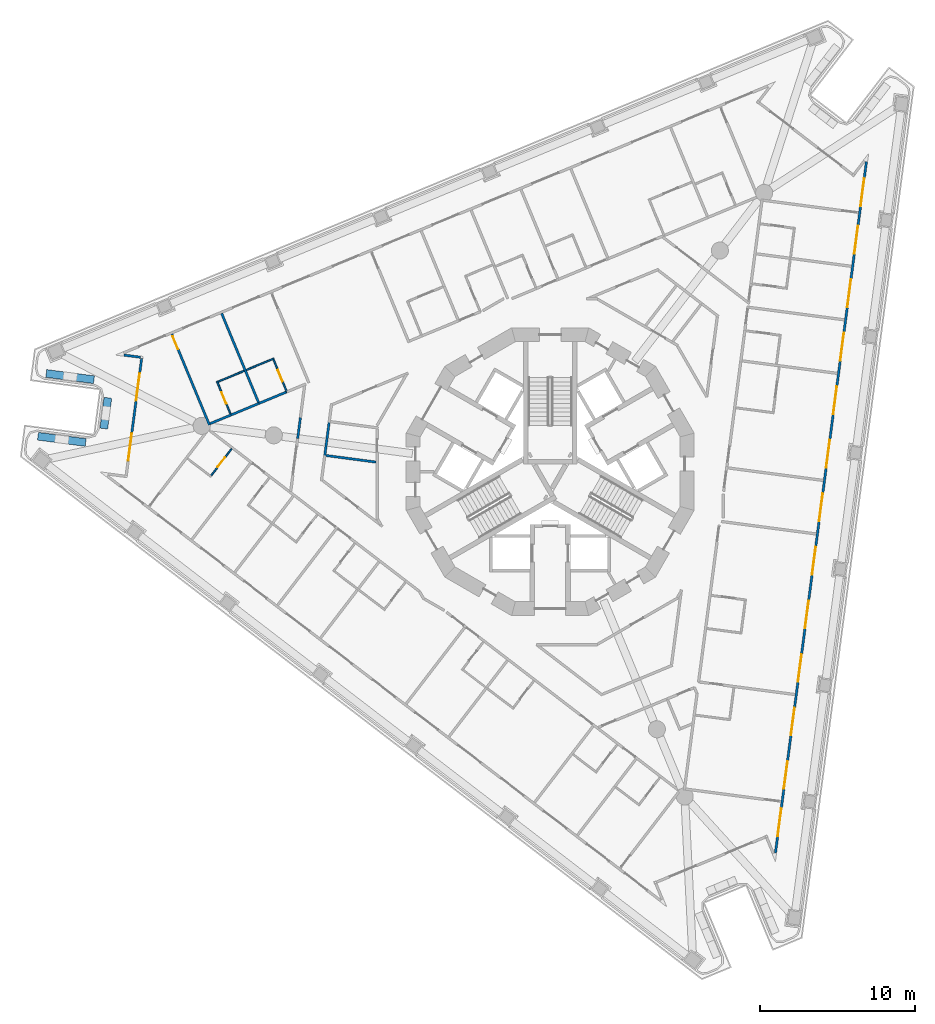
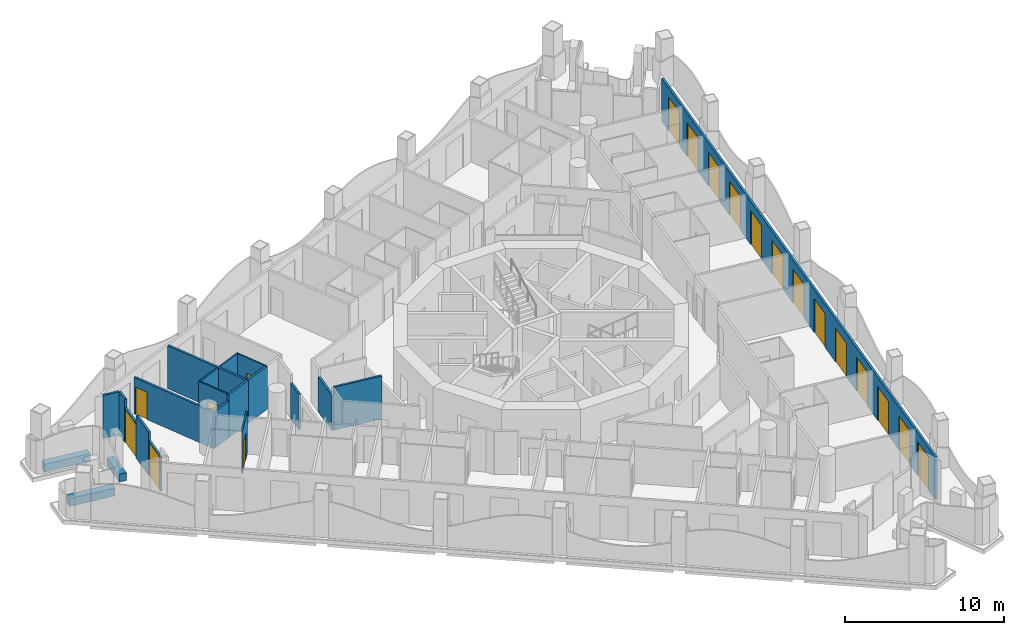
# One storey, part 6 of 18: 22 walls, 19 doors, 19 openings.
"""IFC4 building model written with IfcOpenShell, lengths in metres."""

from ifc_helpers import new_model, si_unit, direction, frame, frame_2d, origin, place, context, subcontext, project, spatial, polyline, rectangle, outline, extrude, material, layer, layer_set, type_object, element, fill, save


model = new_model("IFC4")

# Units and contexts
model_context = context("Model", 3, precision=1e-05, world=origin(), true_north=direction((0.0, 1.0)))
body_context = subcontext(model_context, "Body", "Model", "MODEL_VIEW")
ifc_project = project(units=[si_unit("LENGTHUNIT", "METRE"), si_unit("AREAUNIT", "SQUARE_METRE"), si_unit("VOLUMEUNIT", "CUBIC_METRE"), si_unit("PLANEANGLEUNIT", "RADIAN"), si_unit("MASSUNIT", "GRAM", prefix="KILO")], contexts=[model_context])

# Site, building, storey
site_placement = place(None, origin())
site = spatial("IfcSite", under=ifc_project, at=site_placement, CompositionType="ELEMENT")
building_placement = place(site_placement, origin())
building = spatial("IfcBuilding", under=site, at=building_placement, Name="Trine Commons Tower", CompositionType="ELEMENT")
storey_placement = place(building_placement, frame((0.0, 0.0, 142.199951171875)))
storey = spatial("IfcBuildingStorey", under=building, at=storey_placement, Name="L36", CompositionType="ELEMENT", Elevation=142.199951171875)

# Wall, opening, door
ifc_material_1 = material(Name="Aluminium-framed insulated wall panel", Category="aluminium")
ifc_layer_1 = layer(ifc_material_1, 0.14990234375)
ifc_layer_set_1 = layer_set([ifc_layer_1], Name="Aluminium-framed insulated wall panel")
wall_type_1 = type_object("IfcWallType", Name="Glazed frame wall 150, EI 60", PredefinedType="SOLIDWALL", material=ifc_layer_set_1)
wall_1_placement = place(storey_placement, frame((52.811279296875, 63.154296875, 0.0), z_axis=(0.0, 0.0, 1.0), x_axis=(0.130547578832, 0.991442045538, 0.0)))
wall_1 = element("IfcWall", 1, at=wall_1_placement, inside=storey, type_object=wall_type_1, Name="Glazed frame wall P1.2", PredefinedType="SOLIDWALL", context=body_context, shape_type="SweptSolid", body=[
    extrude(outline(polyline([(0.0, -0.074951171875), (1.89990234375, -0.074951171875), (1.89990234375, 0.074951171875), (0.0, 0.074951171875), (0.0, -0.074951171875)])), origin(), (0.0, 0.0, 1.0), 2.650146484375),
])
opening_1_placement = place(wall_1_placement, frame((0.050048828125, 0.0, 0.0)))
opening_1 = element("IfcOpeningElement", 2, at=opening_1_placement, cuts=wall_1, Name="Opening BD-4P1-01", PredefinedType="OPENING", context=body_context, shape_type="SweptSolid", body=[
    extrude(rectangle(XDim=1.800048828125, YDim=2.60009765625, at=frame_2d((0.89990234375, 1.300048828125))), frame((0.0, 0.0849609375, 0.0), z_axis=(0.0, -1.0, 0.0), x_axis=(1.0, 0.0, 0.0)), (0.0, 0.0, 1.0), 0.169921875),
])
ifc_material_2 = material(Name="Anodised aluminium frame with double glazing", Category="aluminium")
door_type_1 = type_object("IfcDoorType", Name="Sliding loggia door 1800x2600", OperationType="SLIDING_TO_LEFT", PredefinedType="DOOR", material=ifc_material_2)
door_1_placement = place(opening_1_placement, origin())
door_1 = element("IfcDoor", 3, at=door_1_placement, inside=storey, type_object=door_type_1, Name="Loggia door P1 1", OperationType="SLIDING_TO_LEFT", OverallHeight=2.60009765625, OverallWidth=1.800048828125, PredefinedType="DOOR", context=body_context, shape_type="SweptSolid", body=[
    extrude(rectangle(XDim=1.800048828125, YDim=2.60009765625, at=frame_2d((0.89990234375, 1.300048828125))), frame((0.0, 0.02490234375, 0.0), z_axis=(0.0, -1.0, 0.0), x_axis=(1.0, 0.0, 0.0)), (0.0, 0.0, 1.0), 0.050048828125),
])
fill(opening_1, door_1)

# Wall
wall_2_placement = place(storey_placement, frame((53.059326171875, 65.0380859375, 0.0), z_axis=(0.0, 0.0, 1.0), x_axis=(0.130492404742, 0.991449308994, 0.0)))
element("IfcWall", 4, at=wall_2_placement, inside=storey, type_object=wall_type_1, Name="Glazed frame wall P1.3", PredefinedType="SOLIDWALL", context=body_context, shape_type="SweptSolid", body=[
    extrude(outline(polyline([(0.0, -0.074951171875), (2.0, -0.074951171875), (2.0, 0.074951171875), (0.0, 0.074951171875), (0.0, -0.074951171875)])), origin(), (0.0, 0.0, 1.0), 3.300048828125),
])

# Wall, opening, door
wall_3_placement = place(storey_placement, frame((53.3203125, 67.02099609375, 0.0), z_axis=(0.0, 0.0, 1.0), x_axis=(0.130547578832, 0.991442045538, 0.0)))
wall_3 = element("IfcWall", 5, at=wall_3_placement, inside=storey, type_object=wall_type_1, Name="Glazed frame wall P1.4", PredefinedType="SOLIDWALL", context=body_context, shape_type="SweptSolid", body=[
    extrude(outline(polyline([(0.0, -0.074951171875), (1.89990234375, -0.074951171875), (1.89990234375, 0.074951171875), (0.0, 0.074951171875), (0.0, -0.074951171875)])), origin(), (0.0, 0.0, 1.0), 2.650146484375),
])
opening_2_placement = place(wall_3_placement, frame((0.050048828125, 0.0, 0.0)))
opening_2 = element("IfcOpeningElement", 6, at=opening_2_placement, cuts=wall_3, Name="Opening BD-4P1-02", PredefinedType="OPENING", context=body_context, shape_type="SweptSolid", body=[
    extrude(rectangle(XDim=1.800048828125, YDim=2.60009765625, at=frame_2d((0.89990234375, 1.300048828125))), frame((0.0, 0.0849609375, 0.0), z_axis=(0.0, -1.0, 0.0), x_axis=(1.0, 0.0, 0.0)), (0.0, 0.0, 1.0), 0.169921875),
])
door_2_placement = place(opening_2_placement, origin())
door_2 = element("IfcDoor", 7, at=door_2_placement, inside=storey, type_object=door_type_1, Name="Loggia door P1 2", OperationType="SLIDING_TO_LEFT", OverallHeight=2.60009765625, OverallWidth=1.800048828125, PredefinedType="DOOR", context=body_context, shape_type="SweptSolid", body=[
    extrude(rectangle(XDim=1.800048828125, YDim=2.60009765625, at=frame_2d((0.89990234375, 1.300048828125))), frame((0.0, 0.02490234375, 0.0), z_axis=(0.0, -1.0, 0.0), x_axis=(1.0, 0.0, 0.0)), (0.0, 0.0, 1.0), 0.050048828125),
])
fill(opening_2, door_2)

# Walls
wall_4_placement = place(storey_placement, frame((53.568359375, 68.90478515625, 0.0), z_axis=(0.0, 0.0, 1.0), x_axis=(0.130612392842, 0.991433509034, 0.0)))
element("IfcWall", 8, at=wall_4_placement, inside=storey, type_object=wall_type_1, Name="Glazed frame wall P1.5", PredefinedType="SOLIDWALL", context=body_context, shape_type="SweptSolid", body=[
    extrude(outline(polyline([(0.889892578125, 0.074951171875), (0.0, 0.074951171875), (0.0, -0.074951171875), (0.889892578125, -0.074951171875), (0.889892578125, 0.074951171875)])), origin(), (0.0, 0.0, 1.0), 3.300048828125),
])
wall_5_placement = place(storey_placement, frame((53.72900390625, 69.85693359375, 0.0), z_axis=(0.0, 0.0, 1.0), x_axis=(-0.991446880033, 0.130510858064, 0.0)))
element("IfcWall", 9, at=wall_5_placement, inside=storey, type_object=wall_type_1, Name="Glazed frame wall R3", PredefinedType="SOLIDWALL", context=body_context, shape_type="SweptSolid", body=[
    extrude(outline(polyline([(0.110107421875, 0.074951171875), (0.110107421875, -0.074951171875), (1.19580078125, -0.074951171875), (1.19580078125, 0.074951171875), (0.110107421875, 0.074951171875)])), origin(), (0.0, 0.0, 1.0), 3.300048828125),
])

# Wall, openings, doors
wall_6_placement = place(storey_placement, frame((100.387939453125, 82.614013671875, 0.0), z_axis=(0.0, 0.0, 1.0), x_axis=(-0.130522128443, -0.991445396372, 0.0)))
wall_6 = element("IfcWall", 10, at=wall_6_placement, inside=storey, type_object=wall_type_1, Name="Glazed frame wall F2", PredefinedType="SOLIDWALL", context=body_context, shape_type="SweptSolid", body=[
    extrude(outline(polyline([(0.1494140625, 0.074951171875), (0.1494140625, -0.074951171875), (45.056884765625, -0.074951171875), (45.056884765625, 0.074951171875), (0.1494140625, 0.074951171875)])), origin(), (0.0, 0.0, 1.0), 3.300048828125),
])
opening_3_placement = place(wall_6_placement, frame((1.23876953125, 0.0, 0.0)))
opening_3 = element("IfcOpeningElement", 11, at=opening_3_placement, cuts=wall_6, Name="Opening BD-4F2-01", PredefinedType="OPENING", context=body_context, shape_type="SweptSolid", body=[
    extrude(rectangle(XDim=1.800048828125, YDim=2.60009765625, at=frame_2d((0.89990234375, 1.300048828125))), frame((0.0, 0.0849609375, 0.0), z_axis=(0.0, -1.0, 0.0), x_axis=(1.0, 0.0, 0.0)), (0.0, 0.0, 1.0), 0.169921875),
])
opening_4_placement = place(wall_6_placement, frame((4.316162109375, 0.0, 0.0)))
opening_4 = element("IfcOpeningElement", 12, at=opening_4_placement, cuts=wall_6, Name="Opening BD-4F2-02", PredefinedType="OPENING", context=body_context, shape_type="SweptSolid", body=[
    extrude(rectangle(XDim=1.800048828125, YDim=2.60009765625, at=frame_2d((0.89990234375, 1.300048828125))), frame((0.0, 0.0849609375, 0.0), z_axis=(0.0, -1.0, 0.0), x_axis=(1.0, 0.0, 0.0)), (0.0, 0.0, 1.0), 0.169921875),
])
opening_5_placement = place(wall_6_placement, frame((7.79345703125, 0.0, 0.0)))
opening_5 = element("IfcOpeningElement", 13, at=opening_5_placement, cuts=wall_6, Name="Opening BD-4F2-03", PredefinedType="OPENING", context=body_context, shape_type="SweptSolid", body=[
    extrude(rectangle(XDim=1.800048828125, YDim=2.60009765625, at=frame_2d((0.89990234375, 1.300048828125))), frame((0.0, 0.0849609375, 0.0), z_axis=(0.0, -1.0, 0.0), x_axis=(1.0, 0.0, 0.0)), (0.0, 0.0, 1.0), 0.169921875),
])
opening_6_placement = place(wall_6_placement, frame((11.27099609375, 0.0, 0.0)))
opening_6 = element("IfcOpeningElement", 14, at=opening_6_placement, cuts=wall_6, Name="Opening BD-4F2-04", PredefinedType="OPENING", context=body_context, shape_type="SweptSolid", body=[
    extrude(rectangle(XDim=1.800048828125, YDim=2.60009765625, at=frame_2d((0.89990234375, 1.300048828125))), frame((0.0, 0.0849609375, 0.0), z_axis=(0.0, -1.0, 0.0), x_axis=(1.0, 0.0, 0.0)), (0.0, 0.0, 1.0), 0.169921875),
])
opening_7_placement = place(wall_6_placement, frame((14.748291015625, 0.0, 0.0)))
opening_7 = element("IfcOpeningElement", 15, at=opening_7_placement, cuts=wall_6, Name="Opening BD-4F2-05", PredefinedType="OPENING", context=body_context, shape_type="SweptSolid", body=[
    extrude(rectangle(XDim=1.800048828125, YDim=2.60009765625, at=frame_2d((0.89990234375, 1.300048828125))), frame((0.0, 0.0849609375, 0.0), z_axis=(0.0, -1.0, 0.0), x_axis=(1.0, 0.0, 0.0)), (0.0, 0.0, 1.0), 0.169921875),
])
opening_8_placement = place(wall_6_placement, frame((18.2255859375, 0.0, 0.0)))
opening_8 = element("IfcOpeningElement", 16, at=opening_8_placement, cuts=wall_6, Name="Opening BD-4F2-06", PredefinedType="OPENING", context=body_context, shape_type="SweptSolid", body=[
    extrude(rectangle(XDim=1.800048828125, YDim=2.60009765625, at=frame_2d((0.89990234375, 1.300048828125))), frame((0.0, 0.0849609375, 0.0), z_axis=(0.0, -1.0, 0.0), x_axis=(1.0, 0.0, 0.0)), (0.0, 0.0, 1.0), 0.169921875),
])
opening_9_placement = place(wall_6_placement, frame((21.703125, 0.0, 0.0)))
opening_9 = element("IfcOpeningElement", 17, at=opening_9_placement, cuts=wall_6, Name="Opening BD-4F2-07", PredefinedType="OPENING", context=body_context, shape_type="SweptSolid", body=[
    extrude(rectangle(XDim=1.800048828125, YDim=2.60009765625, at=frame_2d((0.89990234375, 1.300048828125))), frame((0.0, 0.0849609375, 0.0), z_axis=(0.0, -1.0, 0.0), x_axis=(1.0, 0.0, 0.0)), (0.0, 0.0, 1.0), 0.169921875),
])
opening_10_placement = place(wall_6_placement, frame((25.180419921875, 0.0, 0.0)))
opening_10 = element("IfcOpeningElement", 18, at=opening_10_placement, cuts=wall_6, Name="Opening BD-4F2-08", PredefinedType="OPENING", context=body_context, shape_type="SweptSolid", body=[
    extrude(rectangle(XDim=1.800048828125, YDim=2.60009765625, at=frame_2d((0.89990234375, 1.300048828125))), frame((0.0, 0.0849609375, 0.0), z_axis=(0.0, -1.0, 0.0), x_axis=(1.0, 0.0, 0.0)), (0.0, 0.0, 1.0), 0.169921875),
])
opening_11_placement = place(wall_6_placement, frame((28.657958984375, 0.0, 0.0)))
opening_11 = element("IfcOpeningElement", 19, at=opening_11_placement, cuts=wall_6, Name="Opening BD-4F2-09", PredefinedType="OPENING", context=body_context, shape_type="SweptSolid", body=[
    extrude(rectangle(XDim=1.800048828125, YDim=2.60009765625, at=frame_2d((0.89990234375, 1.300048828125))), frame((0.0, 0.0849609375, 0.0), z_axis=(0.0, -1.0, 0.0), x_axis=(1.0, 0.0, 0.0)), (0.0, 0.0, 1.0), 0.169921875),
])
opening_12_placement = place(wall_6_placement, frame((32.13525390625, 0.0, 0.0)))
opening_12 = element("IfcOpeningElement", 20, at=opening_12_placement, cuts=wall_6, Name="Opening BD-4F2-10", PredefinedType="OPENING", context=body_context, shape_type="SweptSolid", body=[
    extrude(rectangle(XDim=1.800048828125, YDim=2.60009765625, at=frame_2d((0.89990234375, 1.300048828125))), frame((0.0, 0.0849609375, 0.0), z_axis=(0.0, -1.0, 0.0), x_axis=(1.0, 0.0, 0.0)), (0.0, 0.0, 1.0), 0.169921875),
])
opening_13_placement = place(wall_6_placement, frame((35.61279296875, 0.0, 0.0)))
opening_13 = element("IfcOpeningElement", 21, at=opening_13_placement, cuts=wall_6, Name="Opening BD-4F2-11", PredefinedType="OPENING", context=body_context, shape_type="SweptSolid", body=[
    extrude(rectangle(XDim=1.800048828125, YDim=2.60009765625, at=frame_2d((0.89990234375, 1.300048828125))), frame((0.0, 0.0849609375, 0.0), z_axis=(0.0, -1.0, 0.0), x_axis=(1.0, 0.0, 0.0)), (0.0, 0.0, 1.0), 0.169921875),
])
opening_14_placement = place(wall_6_placement, frame((39.090087890625, 0.0, 0.0)))
opening_14 = element("IfcOpeningElement", 22, at=opening_14_placement, cuts=wall_6, Name="Opening BD-4F2-12", PredefinedType="OPENING", context=body_context, shape_type="SweptSolid", body=[
    extrude(rectangle(XDim=1.800048828125, YDim=2.60009765625, at=frame_2d((0.89990234375, 1.300048828125))), frame((0.0, 0.0849609375, 0.0), z_axis=(0.0, -1.0, 0.0), x_axis=(1.0, 0.0, 0.0)), (0.0, 0.0, 1.0), 0.169921875),
])
opening_15_placement = place(wall_6_placement, frame((42.16748046875, 0.0, 0.0)))
opening_15 = element("IfcOpeningElement", 23, at=opening_15_placement, cuts=wall_6, Name="Opening BD-4F2-13", PredefinedType="OPENING", context=body_context, shape_type="SweptSolid", body=[
    extrude(rectangle(XDim=1.800048828125, YDim=2.60009765625, at=frame_2d((0.89990234375, 1.300048828125))), frame((0.0, 0.0849609375, 0.0), z_axis=(0.0, -1.0, 0.0), x_axis=(1.0, 0.0, 0.0)), (0.0, 0.0, 1.0), 0.169921875),
])
door_3_placement = place(opening_3_placement, origin())
door_3 = element("IfcDoor", 24, at=door_3_placement, inside=storey, type_object=door_type_1, Name="Loggia door F2 1", OperationType="SLIDING_TO_LEFT", OverallHeight=2.60009765625, OverallWidth=1.800048828125, PredefinedType="DOOR", context=body_context, shape_type="SweptSolid", body=[
    extrude(rectangle(XDim=1.800048828125, YDim=2.60009765625, at=frame_2d((0.89990234375, 1.300048828125))), frame((0.0, 0.02490234375, 0.0), z_axis=(0.0, -1.0, 0.0), x_axis=(1.0, 0.0, 0.0)), (0.0, 0.0, 1.0), 0.050048828125),
])
fill(opening_3, door_3)
door_4_placement = place(opening_4_placement, origin())
door_4 = element("IfcDoor", 25, at=door_4_placement, inside=storey, type_object=door_type_1, Name="Loggia door F2 2", OperationType="SLIDING_TO_LEFT", OverallHeight=2.60009765625, OverallWidth=1.800048828125, PredefinedType="DOOR", context=body_context, shape_type="SweptSolid", body=[
    extrude(rectangle(XDim=1.800048828125, YDim=2.60009765625, at=frame_2d((0.89990234375, 1.300048828125))), frame((0.0, 0.02490234375, 0.0), z_axis=(0.0, -1.0, 0.0), x_axis=(1.0, 0.0, 0.0)), (0.0, 0.0, 1.0), 0.050048828125),
])
fill(opening_4, door_4)
door_5_placement = place(opening_5_placement, origin())
door_5 = element("IfcDoor", 26, at=door_5_placement, inside=storey, type_object=door_type_1, Name="Loggia door F2 3", OperationType="SLIDING_TO_LEFT", OverallHeight=2.60009765625, OverallWidth=1.800048828125, PredefinedType="DOOR", context=body_context, shape_type="SweptSolid", body=[
    extrude(rectangle(XDim=1.800048828125, YDim=2.60009765625, at=frame_2d((0.89990234375, 1.300048828125))), frame((0.0, 0.02490234375, 0.0), z_axis=(0.0, -1.0, 0.0), x_axis=(1.0, 0.0, 0.0)), (0.0, 0.0, 1.0), 0.050048828125),
])
fill(opening_5, door_5)
door_6_placement = place(opening_6_placement, origin())
door_6 = element("IfcDoor", 27, at=door_6_placement, inside=storey, type_object=door_type_1, Name="Loggia door F2 4", OperationType="SLIDING_TO_LEFT", OverallHeight=2.60009765625, OverallWidth=1.800048828125, PredefinedType="DOOR", context=body_context, shape_type="SweptSolid", body=[
    extrude(rectangle(XDim=1.800048828125, YDim=2.60009765625, at=frame_2d((0.89990234375, 1.300048828125))), frame((0.0, 0.02490234375, 0.0), z_axis=(0.0, -1.0, 0.0), x_axis=(1.0, 0.0, 0.0)), (0.0, 0.0, 1.0), 0.050048828125),
])
fill(opening_6, door_6)
door_7_placement = place(opening_7_placement, origin())
door_7 = element("IfcDoor", 28, at=door_7_placement, inside=storey, type_object=door_type_1, Name="Loggia door F2 5", OperationType="SLIDING_TO_LEFT", OverallHeight=2.60009765625, OverallWidth=1.800048828125, PredefinedType="DOOR", context=body_context, shape_type="SweptSolid", body=[
    extrude(rectangle(XDim=1.800048828125, YDim=2.60009765625, at=frame_2d((0.89990234375, 1.300048828125))), frame((0.0, 0.02490234375, 0.0), z_axis=(0.0, -1.0, 0.0), x_axis=(1.0, 0.0, 0.0)), (0.0, 0.0, 1.0), 0.050048828125),
])
fill(opening_7, door_7)
door_8_placement = place(opening_8_placement, origin())
door_8 = element("IfcDoor", 29, at=door_8_placement, inside=storey, type_object=door_type_1, Name="Loggia door F2 6", OperationType="SLIDING_TO_LEFT", OverallHeight=2.60009765625, OverallWidth=1.800048828125, PredefinedType="DOOR", context=body_context, shape_type="SweptSolid", body=[
    extrude(rectangle(XDim=1.800048828125, YDim=2.60009765625, at=frame_2d((0.89990234375, 1.300048828125))), frame((0.0, 0.02490234375, 0.0), z_axis=(0.0, -1.0, 0.0), x_axis=(1.0, 0.0, 0.0)), (0.0, 0.0, 1.0), 0.050048828125),
])
fill(opening_8, door_8)
door_9_placement = place(opening_9_placement, origin())
door_9 = element("IfcDoor", 30, at=door_9_placement, inside=storey, type_object=door_type_1, Name="Loggia door F2 7", OperationType="SLIDING_TO_LEFT", OverallHeight=2.60009765625, OverallWidth=1.800048828125, PredefinedType="DOOR", context=body_context, shape_type="SweptSolid", body=[
    extrude(rectangle(XDim=1.800048828125, YDim=2.60009765625, at=frame_2d((0.89990234375, 1.300048828125))), frame((0.0, 0.02490234375, 0.0), z_axis=(0.0, -1.0, 0.0), x_axis=(1.0, 0.0, 0.0)), (0.0, 0.0, 1.0), 0.050048828125),
])
fill(opening_9, door_9)
door_10_placement = place(opening_10_placement, origin())
door_10 = element("IfcDoor", 31, at=door_10_placement, inside=storey, type_object=door_type_1, Name="Loggia door F2 8", OperationType="SLIDING_TO_LEFT", OverallHeight=2.60009765625, OverallWidth=1.800048828125, PredefinedType="DOOR", context=body_context, shape_type="SweptSolid", body=[
    extrude(rectangle(XDim=1.800048828125, YDim=2.60009765625, at=frame_2d((0.89990234375, 1.300048828125))), frame((0.0, 0.02490234375, 0.0), z_axis=(0.0, -1.0, 0.0), x_axis=(1.0, 0.0, 0.0)), (0.0, 0.0, 1.0), 0.050048828125),
])
fill(opening_10, door_10)
door_11_placement = place(opening_11_placement, origin())
door_11 = element("IfcDoor", 32, at=door_11_placement, inside=storey, type_object=door_type_1, Name="Loggia door F2 9", OperationType="SLIDING_TO_LEFT", OverallHeight=2.60009765625, OverallWidth=1.800048828125, PredefinedType="DOOR", context=body_context, shape_type="SweptSolid", body=[
    extrude(rectangle(XDim=1.800048828125, YDim=2.60009765625, at=frame_2d((0.89990234375, 1.300048828125))), frame((0.0, 0.02490234375, 0.0), z_axis=(0.0, -1.0, 0.0), x_axis=(1.0, 0.0, 0.0)), (0.0, 0.0, 1.0), 0.050048828125),
])
fill(opening_11, door_11)
door_12_placement = place(opening_12_placement, origin())
door_12 = element("IfcDoor", 33, at=door_12_placement, inside=storey, type_object=door_type_1, Name="Loggia door F2 10", OperationType="SLIDING_TO_LEFT", OverallHeight=2.60009765625, OverallWidth=1.800048828125, PredefinedType="DOOR", context=body_context, shape_type="SweptSolid", body=[
    extrude(rectangle(XDim=1.800048828125, YDim=2.60009765625, at=frame_2d((0.89990234375, 1.300048828125))), frame((0.0, 0.02490234375, 0.0), z_axis=(0.0, -1.0, 0.0), x_axis=(1.0, 0.0, 0.0)), (0.0, 0.0, 1.0), 0.050048828125),
])
fill(opening_12, door_12)
door_13_placement = place(opening_13_placement, origin())
door_13 = element("IfcDoor", 34, at=door_13_placement, inside=storey, type_object=door_type_1, Name="Loggia door F2 11", OperationType="SLIDING_TO_LEFT", OverallHeight=2.60009765625, OverallWidth=1.800048828125, PredefinedType="DOOR", context=body_context, shape_type="SweptSolid", body=[
    extrude(rectangle(XDim=1.800048828125, YDim=2.60009765625, at=frame_2d((0.89990234375, 1.300048828125))), frame((0.0, 0.02490234375, 0.0), z_axis=(0.0, -1.0, 0.0), x_axis=(1.0, 0.0, 0.0)), (0.0, 0.0, 1.0), 0.050048828125),
])
fill(opening_13, door_13)
door_14_placement = place(opening_14_placement, origin())
door_14 = element("IfcDoor", 35, at=door_14_placement, inside=storey, type_object=door_type_1, Name="Loggia door F2 12", OperationType="SLIDING_TO_LEFT", OverallHeight=2.60009765625, OverallWidth=1.800048828125, PredefinedType="DOOR", context=body_context, shape_type="SweptSolid", body=[
    extrude(rectangle(XDim=1.800048828125, YDim=2.60009765625, at=frame_2d((0.89990234375, 1.300048828125))), frame((0.0, 0.02490234375, 0.0), z_axis=(0.0, -1.0, 0.0), x_axis=(1.0, 0.0, 0.0)), (0.0, 0.0, 1.0), 0.050048828125),
])
fill(opening_14, door_14)
door_15_placement = place(opening_15_placement, origin())
door_15 = element("IfcDoor", 36, at=door_15_placement, inside=storey, type_object=door_type_1, Name="Loggia door F2 13", OperationType="SLIDING_TO_LEFT", OverallHeight=2.60009765625, OverallWidth=1.800048828125, PredefinedType="DOOR", context=body_context, shape_type="SweptSolid", body=[
    extrude(rectangle(XDim=1.800048828125, YDim=2.60009765625, at=frame_2d((0.89990234375, 1.300048828125))), frame((0.0, 0.02490234375, 0.0), z_axis=(0.0, -1.0, 0.0), x_axis=(1.0, 0.0, 0.0)), (0.0, 0.0, 1.0), 0.050048828125),
])
fill(opening_15, door_15)

# Walls
ifc_material_3 = material(Name="Planter trough, precast concrete C40/50", Category="concrete")
ifc_layer_2 = layer(ifc_material_3, 0.5)
ifc_layer_set_2 = layer_set([ifc_layer_2], Name="Planter trough, precast concrete C40/50")
wall_type_2 = type_object("IfcWallType", Name="Planter trough 500x600", PredefinedType="PARAPET", material=ifc_layer_set_2)
wall_7_placement = place(storey_placement, frame((47.009765625, 64.78564453125, 0.0), z_axis=(0.0, 0.0, 1.0), x_axis=(0.991448665422, -0.130497294353, 0.0)))
element("IfcWall", 37, at=wall_7_placement, inside=storey, type_object=wall_type_2, Name="Planter 1", PredefinedType="PARAPET", context=body_context, shape_type="SweptSolid", body=[
    extrude(rectangle(XDim=3.10009765625, YDim=0.5, at=frame_2d((1.550048828125, 0.0))), origin(), (0.0, 0.0, 1.0), 0.60009765625),
])
wall_8_placement = place(storey_placement, frame((51.25, 65.2763671875, 0.0), z_axis=(0.0, 0.0, 1.0), x_axis=(0.130492404742, 0.991449308994, 0.0)))
element("IfcWall", 38, at=wall_8_placement, inside=storey, type_object=wall_type_2, Name="Planter 2", PredefinedType="PARAPET", context=body_context, shape_type="SweptSolid", body=[
    extrude(rectangle(XDim=2.0, YDim=0.5, at=frame_2d((1.0, 0.0))), origin(), (0.0, 0.0, 1.0), 0.60009765625),
])
wall_9_placement = place(storey_placement, frame((50.615478515625, 68.426025390625, 0.0), z_axis=(0.0, 0.0, 1.0), x_axis=(-0.991437130155, 0.130584903225, 0.0)))
element("IfcWall", 39, at=wall_9_placement, inside=storey, type_object=wall_type_2, Name="Planter 3", PredefinedType="PARAPET", context=body_context, shape_type="SweptSolid", body=[
    extrude(rectangle(XDim=3.099853515625, YDim=0.5, at=frame_2d((1.5498046875, 0.0))), origin(), (0.0, 0.0, 1.0), 0.60009765625),
])

# Wall, opening, door
ifc_material_4 = material(Name="Gypsum plasterboard on steel stud", Category="steel")
ifc_layer_3 = layer(ifc_material_4, 0.14990234375)
ifc_layer_set_3 = layer_set([ifc_layer_3], Name="Gypsum plasterboard on steel stud")
wall_type_3 = type_object("IfcWallType", Name="Unit and corridor wall 150 mm, EI 60", PredefinedType="PARTITIONING", material=ifc_layer_set_3)
wall_10_placement = place(storey_placement, frame((55.62841796875, 71.361083984375, 0.0), z_axis=(0.0, 0.0, 1.0), x_axis=(0.38260330851, -0.923912716828, 0.0)))
wall_10 = element("IfcWall", 40, at=wall_10_placement, inside=storey, type_object=wall_type_3, Name="Partition 002", PredefinedType="PARTITIONING", context=body_context, shape_type="SweptSolid", body=[
    extrude(rectangle(XDim=6.343994140625, YDim=0.14990234375, at=frame_2d((3.171875, 0.0))), origin(), (0.0, 0.0, 1.0), 2.800048828125),
])
opening_16_placement = place(wall_10_placement, frame((0.14990234375, 0.0, 0.0)))
opening_16 = element("IfcOpeningElement", 41, at=opening_16_placement, cuts=wall_10, Name="Opening D-4B05", PredefinedType="OPENING", context=body_context, shape_type="SweptSolid", body=[
    extrude(rectangle(XDim=0.89990234375, YDim=2.10009765625, at=frame_2d((0.449951171875, 1.050048828125))), frame((0.0, 0.0849609375, 0.0), z_axis=(0.0, -1.0, 0.0), x_axis=(1.0, 0.0, 0.0)), (0.0, 0.0, 1.0), 0.169921875),
])
ifc_material_5 = material(Name="Timber fire door set", Category="wood")
door_type_2 = type_object("IfcDoorType", Name="Bedroom door 900 x 2100, FD30S", OperationType="NOTDEFINED", PredefinedType="DOOR", material=ifc_material_5)
door_16_placement = place(opening_16_placement, origin())
door_16 = element("IfcDoor", 42, at=door_16_placement, inside=storey, type_object=door_type_2, Name="Door D-4B05", OperationType="SINGLE_SWING_LEFT", OverallHeight=2.10009765625, OverallWidth=0.89990234375, PredefinedType="DOOR", context=body_context, shape_type="SweptSolid", body=[
    extrude(rectangle(XDim=0.89990234375, YDim=2.10009765625, at=frame_2d((0.449951171875, 1.050048828125))), frame((0.0, 0.02490234375, 0.0), z_axis=(0.0, -1.0, 0.0), x_axis=(1.0, 0.0, 0.0)), (0.0, 0.0, 1.0), 0.050048828125),
])
fill(opening_16, door_16)

# Walls
wall_11_placement = place(storey_placement, frame((58.09619140625, 65.59765625, 0.0), z_axis=(0.0, 0.0, 1.0), x_axis=(0.923888134281, 0.382662665196, 0.0)))
element("IfcWall", 43, at=wall_11_placement, inside=storey, type_object=wall_type_3, Name="Partition 006", PredefinedType="PARTITIONING", context=body_context, shape_type="SweptSolid", body=[
    extrude(rectangle(XDim=1.45654296875, YDim=0.14990234375, at=frame_2d((0.728271484375, 0.0))), origin(), (0.0, 0.0, 1.0), 2.800048828125),
])
wall_12_placement = place(storey_placement, frame((58.84130859375, 72.69189453125, 0.0), z_axis=(0.0, 0.0, 1.0), x_axis=(0.382610562407, -0.923909712869, 0.0)))
element("IfcWall", 44, at=wall_12_placement, inside=storey, type_object=wall_type_3, Name="Partition 010", PredefinedType="PARTITIONING", context=body_context, shape_type="SweptSolid", body=[
    extrude(rectangle(XDim=6.19384765625, YDim=0.14990234375, at=frame_2d((3.096923828125, 0.0))), origin(), (0.0, 0.0, 1.0), 3.300048828125),
])
wall_13_placement = place(storey_placement, frame((59.388916015625, 66.1328125, 0.0), z_axis=(0.0, 0.0, 1.0), x_axis=(0.923817799338, 0.382832435442, 0.0)))
element("IfcWall", 45, at=wall_13_placement, inside=storey, type_object=wall_type_3, Name="Partition 011", PredefinedType="PARTITIONING", context=body_context, shape_type="SweptSolid", body=[
    extrude(rectangle(XDim=2.003662109375, YDim=0.14990234375, at=frame_2d((1.001953125, 0.0))), origin(), (0.0, 0.0, 1.0), 3.300048828125),
])
wall_14_placement = place(storey_placement, frame((61.239990234375, 66.89990234375, 0.0), z_axis=(0.0, 0.0, 1.0), x_axis=(0.92387678234, 0.382690071798, 0.0)))
element("IfcWall", 46, at=wall_14_placement, inside=storey, type_object=wall_type_3, Name="Partition 016", PredefinedType="PARTITIONING", context=body_context, shape_type="SweptSolid", body=[
    extrude(rectangle(XDim=1.95458984375, YDim=0.14990234375, at=frame_2d((0.977294921875, 0.0))), origin(), (0.0, 0.0, 1.0), 3.300048828125),
])
wall_15_placement = place(storey_placement, frame((63.736083984375, 64.64111328125, 0.0), z_axis=(0.0, 0.0, 1.0), x_axis=(0.129741998441, 0.991547786968, 0.0)))
element("IfcWall", 47, at=wall_15_placement, inside=storey, type_object=wall_type_3, Name="Partition 024", PredefinedType="PARTITIONING", context=body_context, shape_type="SweptSolid", body=[
    extrude(rectangle(XDim=1.347412109375, YDim=0.14990234375, at=frame_2d((0.673828125, 0.0))), origin(), (0.0, 0.0, 1.0), 2.699951171875),
])
wall_16_placement = place(storey_placement, frame((65.47314453125, 63.4755859375, 0.0), z_axis=(0.0, 0.0, 1.0), x_axis=(0.130468344309, 0.991452475479, 0.0)))
element("IfcWall", 48, at=wall_16_placement, inside=storey, type_object=wall_type_3, Name="Partition 029", PredefinedType="PARTITIONING", context=body_context, shape_type="SweptSolid", body=[
    extrude(rectangle(XDim=2.282958984375, YDim=0.14990234375, at=frame_2d((1.1416015625, 0.0))), origin(), (0.0, 0.0, 1.0), 2.699951171875),
])
wall_17_placement = place(storey_placement, frame((65.558349609375, 63.544189453125, 0.0), z_axis=(0.0, 0.0, 1.0), x_axis=(0.991425096487, -0.13067623371, 0.0)))
element("IfcWall", 49, at=wall_17_placement, inside=storey, type_object=wall_type_3, Name="Partition 030", PredefinedType="PARTITIONING", context=body_context, shape_type="SweptSolid", body=[
    extrude(rectangle(XDim=3.2470703125, YDim=0.14990234375, at=frame_2d((1.62353515625, 0.0))), origin(), (0.0, 0.0, 1.0), 3.300048828125),
])

# Wall, opening, door
ifc_layer_4 = layer(ifc_material_4, 0.10009765625)
ifc_layer_set_4 = layer_set([ifc_layer_4], Name="Gypsum plasterboard on steel stud")
wall_type_4 = type_object("IfcWallType", Name="Unit partition 100 mm, no rating", PredefinedType="PARTITIONING", material=ifc_layer_set_4)
wall_18_placement = place(storey_placement, frame((58.158447265625, 62.250732421875, 0.0), z_axis=(0.0, 0.0, 1.0), x_axis=(0.609173579823, 0.793036915689, 0.0)))
wall_18 = element("IfcWall", 50, at=wall_18_placement, inside=storey, type_object=wall_type_4, Name="Partition 007", PredefinedType="PARTITIONING", context=body_context, shape_type="SweptSolid", body=[
    extrude(rectangle(XDim=2.175048828125, YDim=0.10009765625, at=frame_2d((1.08740234375, 0.0))), origin(), (0.0, 0.0, 1.0), 3.300048828125),
])
opening_17_placement = place(wall_18_placement, frame((0.6875, 0.0, 0.0)))
opening_17 = element("IfcOpeningElement", 51, at=opening_17_placement, cuts=wall_18, Name="Opening D-4B58", PredefinedType="OPENING", context=body_context, shape_type="SweptSolid", body=[
    extrude(rectangle(XDim=0.800048828125, YDim=2.10009765625, at=frame_2d((0.39990234375, 1.050048828125))), frame((0.0, 0.06005859375, 0.0), z_axis=(0.0, -1.0, 0.0), x_axis=(1.0, 0.0, 0.0)), (0.0, 0.0, 1.0), 0.1201171875),
])
ifc_material_6 = material(Name="Painted timber", Category="wood")
door_type_3 = type_object("IfcDoorType", Name="Internal door 800 x 2100, NOT RATED", OperationType="NOTDEFINED", PredefinedType="DOOR", material=ifc_material_6)
door_17_placement = place(opening_17_placement, frame((0.800048828125, 0.0, 0.0), z_axis=(0.0, 0.0, 1.0), x_axis=(-1.0, 0.0, 0.0)))
door_17 = element("IfcDoor", 52, at=door_17_placement, inside=storey, type_object=door_type_3, Name="Door D-4B58", OperationType="SINGLE_SWING_LEFT", OverallHeight=2.10009765625, OverallWidth=0.800048828125, PredefinedType="DOOR", context=body_context, shape_type="SweptSolid", body=[
    extrude(rectangle(XDim=0.800048828125, YDim=2.10009765625, at=frame_2d((0.39990234375, 1.050048828125))), frame((0.0, 0.02490234375, 0.0), z_axis=(0.0, -1.0, 0.0), x_axis=(1.0, 0.0, 0.0)), (0.0, 0.0, 1.0), 0.050048828125),
])
fill(opening_17, door_17)

wall_19_placement = place(storey_placement, frame((58.538818359375, 68.3251953125, 0.0), z_axis=(0.0, 0.0, 1.0), x_axis=(0.382595073996, -0.923916126796, 0.0)))
wall_19 = element("IfcWall", 53, at=wall_19_placement, inside=storey, type_object=wall_type_4, Name="Partition 008", PredefinedType="PARTITIONING", context=body_context, shape_type="SweptSolid", body=[
    extrude(rectangle(XDim=2.27490234375, YDim=0.10009765625, at=frame_2d((1.137451171875, 0.0))), origin(), (0.0, 0.0, 1.0), 3.300048828125),
])
opening_18_placement = place(wall_19_placement, frame((0.7626953125, 0.0, 0.0)))
opening_18 = element("IfcOpeningElement", 54, at=opening_18_placement, cuts=wall_19, Name="Opening D-4B36", PredefinedType="OPENING", context=body_context, shape_type="SweptSolid", body=[
    extrude(rectangle(XDim=0.800048828125, YDim=2.10009765625, at=frame_2d((0.39990234375, 1.050048828125))), frame((0.0, 0.06005859375, 0.0), z_axis=(0.0, -1.0, 0.0), x_axis=(1.0, 0.0, 0.0)), (0.0, 0.0, 1.0), 0.1201171875),
])
door_18_placement = place(opening_18_placement, frame((0.800048828125, 0.0, 0.0), z_axis=(0.0, 0.0, 1.0), x_axis=(-1.0, 0.0, 0.0)))
door_18 = element("IfcDoor", 55, at=door_18_placement, inside=storey, type_object=door_type_3, Name="Door D-4B36", OperationType="SINGLE_SWING_LEFT", OverallHeight=2.10009765625, OverallWidth=0.800048828125, PredefinedType="DOOR", context=body_context, shape_type="SweptSolid", body=[
    extrude(rectangle(XDim=0.800048828125, YDim=2.10009765625, at=frame_2d((0.39990234375, 1.050048828125))), frame((0.0, 0.02490234375, 0.0), z_axis=(0.0, -1.0, 0.0), x_axis=(1.0, 0.0, 0.0)), (0.0, 0.0, 1.0), 0.050048828125),
])
fill(opening_18, door_18)

# Walls
wall_20_placement = place(storey_placement, frame((58.604248046875, 68.298095703125, 0.0), z_axis=(0.0, 0.0, 1.0), x_axis=(0.923945120737, 0.382525049986, 0.0)))
element("IfcWall", 56, at=wall_20_placement, inside=storey, type_object=wall_type_4, Name="Partition 009", PredefinedType="PARTITIONING", context=body_context, shape_type="SweptSolid", body=[
    extrude(rectangle(XDim=1.825439453125, YDim=0.10009765625, at=frame_2d((0.91259765625, 0.0))), origin(), (0.0, 0.0, 1.0), 3.300048828125),
])
wall_21_placement = place(storey_placement, frame((60.42919921875, 69.0537109375, 0.0), z_axis=(0.0, 0.0, 1.0), x_axis=(0.923911704446, 0.382605753207, 0.0)))
element("IfcWall", 57, at=wall_21_placement, inside=storey, type_object=wall_type_4, Name="Partition 013", PredefinedType="PARTITIONING", context=body_context, shape_type="SweptSolid", body=[
    extrude(rectangle(XDim=1.924560546875, YDim=0.10009765625, at=frame_2d((0.96240234375, 0.0))), origin(), (0.0, 0.0, 1.0), 3.300048828125),
])

# Wall, opening, door
wall_22_placement = place(storey_placement, frame((62.18017578125, 69.724853515625, 0.0), z_axis=(0.0, 0.0, 1.0), x_axis=(0.382958575782, -0.92376551637, 0.0)))
wall_22 = element("IfcWall", 58, at=wall_22_placement, inside=storey, type_object=wall_type_4, Name="Partition 019", PredefinedType="PARTITIONING", context=body_context, shape_type="SweptSolid", body=[
    extrude(rectangle(XDim=2.25048828125, YDim=0.10009765625, at=frame_2d((1.125244140625, 0.0))), origin(), (0.0, 0.0, 1.0), 3.300048828125),
])
opening_19_placement = place(wall_22_placement, frame((0.72509765625, 0.0, 0.0)))
opening_19 = element("IfcOpeningElement", 59, at=opening_19_placement, cuts=wall_22, Name="Opening D-4B37", PredefinedType="OPENING", context=body_context, shape_type="SweptSolid", body=[
    extrude(rectangle(XDim=0.800048828125, YDim=2.10009765625, at=frame_2d((0.39990234375, 1.050048828125))), frame((0.0, 0.06005859375, 0.0), z_axis=(0.0, -1.0, 0.0), x_axis=(1.0, 0.0, 0.0)), (0.0, 0.0, 1.0), 0.1201171875),
])
door_19_placement = place(opening_19_placement, origin())
door_19 = element("IfcDoor", 60, at=door_19_placement, inside=storey, type_object=door_type_3, Name="Door D-4B37", OperationType="SINGLE_SWING_RIGHT", OverallHeight=2.10009765625, OverallWidth=0.800048828125, PredefinedType="DOOR", context=body_context, shape_type="SweptSolid", body=[
    extrude(rectangle(XDim=0.800048828125, YDim=2.10009765625, at=frame_2d((0.39990234375, 1.050048828125))), frame((0.0, 0.02490234375, 0.0), z_axis=(0.0, -1.0, 0.0), x_axis=(1.0, 0.0, 0.0)), (0.0, 0.0, 1.0), 0.050048828125),
])
fill(opening_19, door_19)

save(model, "model.ifc")
